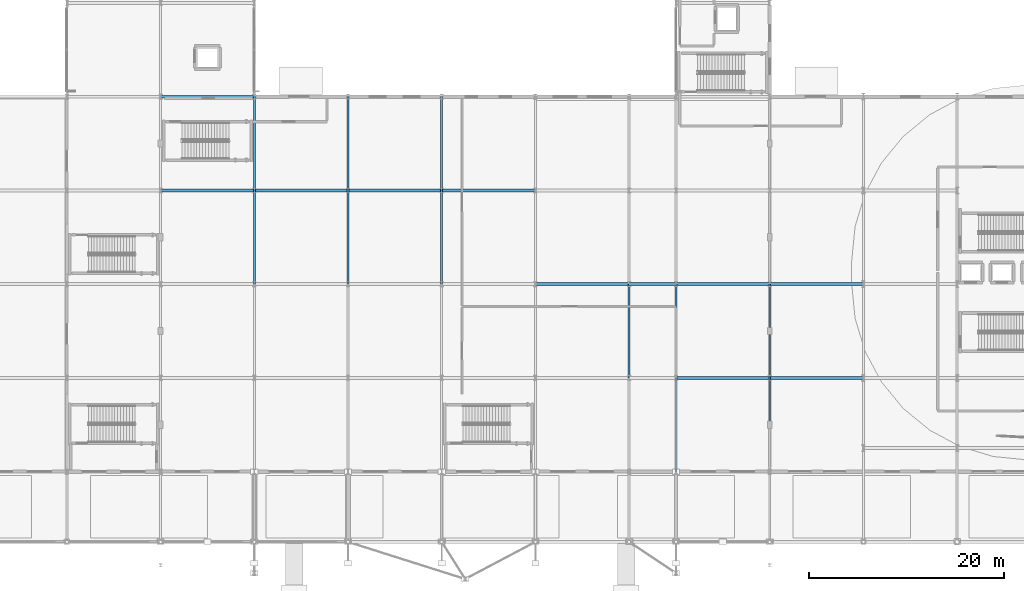
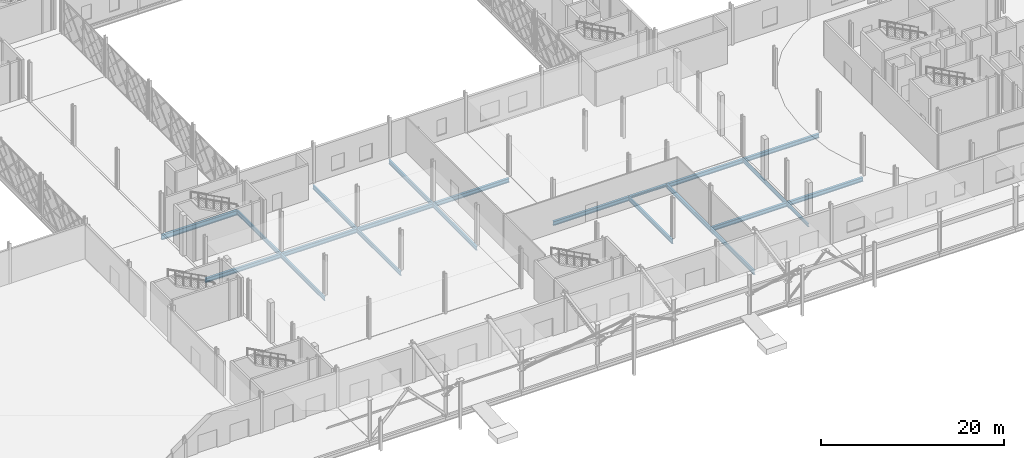
# One storey, part 31 of 84: 23 beams.
"""IFC4 building model written with IfcOpenShell, lengths in metres."""

from ifc_helpers import new_model, si_unit, direction, frame, origin, origin_2d, place, context, subcontext, project, spatial, i_section, extrude, material, material_profile, profile_set, type_object, element, save


model = new_model("IFC4")

# Units and contexts
model_context = context("Model", 3, precision=1e-05, world=origin(), true_north=direction((0.0, 1.0)))
body_context = subcontext(model_context, "Body", "Model", "MODEL_VIEW")
ifc_project = project(units=[si_unit("LENGTHUNIT", "METRE"), si_unit("AREAUNIT", "SQUARE_METRE"), si_unit("VOLUMEUNIT", "CUBIC_METRE"), si_unit("PLANEANGLEUNIT", "RADIAN"), si_unit("MASSUNIT", "GRAM", prefix="KILO")], contexts=[model_context])

# Site, building, storey
site_placement = place(None, origin())
site = spatial("IfcSite", under=ifc_project, at=site_placement, CompositionType="ELEMENT")
building_placement = place(site_placement, origin())
building = spatial("IfcBuilding", under=site, at=building_placement, Name="Zevrakil Square Congress Hotel", CompositionType="ELEMENT")
storey_placement = place(building_placement, origin())
storey = spatial("IfcBuildingStorey", under=building, at=storey_placement, Name="L01", CompositionType="ELEMENT", Elevation=0.0)

# Beams
ifc_material_1 = material(Name="Steel S355", Category="steel")
ifc_material_profile_1 = material_profile(ifc_material_1, i_section(OverallWidth=0.300048828125, OverallDepth=0.31005859375, WebThickness=0.009033203125, FlangeThickness=0.015380859375, FilletRadius=0.027099609375, at=origin_2d()), Name="HEA 320")
ifc_profile_set_1 = profile_set([ifc_material_profile_1], Name="Steel S355")
beam_type_1 = type_object("IfcBeamType", Name="BM-HEA320", PredefinedType="BEAM", material=ifc_profile_set_1)
beam_1_placement = place(storey_placement, frame((103.199951171875, 26.39990234375, -0.47509765625), z_axis=(1.0, 0.0, 0.0), x_axis=(0.0, 1.0, 0.0)))
element("IfcBeam", 1, at=beam_1_placement, inside=storey, type_object=beam_type_1, Name="L01 primary girder BX-0325", PredefinedType="BEAM", context=body_context, shape_type="SweptSolid", body=[
    extrude(i_section(OverallWidth=0.300048828125, OverallDepth=0.31005859375, WebThickness=0.009033203125, FlangeThickness=0.015380859375, FilletRadius=0.027099609375, at=origin_2d()), origin(), (0.0, 0.0, 1.0), 4.800048828125),
])
ifc_material_2 = material(Name="Steel S355", Category="steel")
ifc_material_profile_2 = material_profile(ifc_material_2, i_section(OverallWidth=0.300048828125, OverallDepth=0.5400390625, WebThickness=0.012451171875, FlangeThickness=0.02392578125, FilletRadius=0.027099609375, at=origin_2d()), Name="HEA 550")
ifc_profile_set_2 = profile_set([ifc_material_profile_2], Name="Steel S355")
beam_type_2 = type_object("IfcBeamType", Name="BM-HEA550", PredefinedType="BEAM", material=ifc_profile_set_2)
beam_2_placement = place(storey_placement, frame((108.0, 16.800048828125, -0.590087890625), z_axis=(1.0, 0.0, 0.0), x_axis=(0.0, 1.0, 0.0)))
element("IfcBeam", 2, at=beam_2_placement, inside=storey, type_object=beam_type_2, Name="L01 primary girder BX-0307", PredefinedType="BEAM", context=body_context, shape_type="SweptSolid", body=[
    extrude(i_section(OverallWidth=0.300048828125, OverallDepth=0.5400390625, WebThickness=0.012451171875, FlangeThickness=0.02392578125, FilletRadius=0.027099609375, at=origin_2d()), origin(), (0.0, 0.0, 1.0), 9.60009765625),
])
for number, where, z_axis, x_axis, name in (
    (3, (117.60009765625, 16.800048828125, -0.590087890625), (1.0, 0.0, 0.0), (0.0, 1.0, 0.0), "L01 primary girder BX-0308"),
    (4, (93.60009765625, 26.39990234375, -0.590087890625), (1.0, 0.0, 0.0), (0.0, 1.0, 0.0), "L01 primary girder BX-0324"),
):
    element("IfcBeam", number, at=place(storey_placement, frame(where, z_axis=z_axis, x_axis=x_axis)), inside=storey, type_object=beam_type_2, Name=name, PredefinedType="BEAM", context=body_context, shape_type="SweptSolid", body=[
        extrude(i_section(OverallWidth=0.300048828125, OverallDepth=0.5400390625, WebThickness=0.012451171875, FlangeThickness=0.02392578125, FilletRadius=0.027099609375, at=origin_2d()), origin(), (0.0, 0.0, 1.0), 9.599853515625),
    ])
beam_3_placement = place(storey_placement, frame((108.0, 26.39990234375, -0.590087890625), z_axis=(1.0, 0.0, 0.0), x_axis=(0.0, 1.0, 0.0)))
element("IfcBeam", 5, at=beam_3_placement, inside=storey, type_object=beam_type_2, Name="L01 primary girder BX-0326", PredefinedType="BEAM", context=body_context, shape_type="SweptSolid", body=[
    extrude(i_section(OverallWidth=0.300048828125, OverallDepth=0.5400390625, WebThickness=0.012451171875, FlangeThickness=0.02392578125, FilletRadius=0.027099609375, at=origin_2d()), origin(), (0.0, 0.0, 1.0), 9.60009765625),
])
beam_4_placement = place(storey_placement, frame((117.60009765625, 26.39990234375, -0.590087890625), z_axis=(1.0, 0.0, 0.0), x_axis=(0.0, 1.0, 0.0)))
element("IfcBeam", 6, at=beam_4_placement, inside=storey, type_object=beam_type_2, Name="L01 primary girder BX-0327", PredefinedType="BEAM", context=body_context, shape_type="SweptSolid", body=[
    extrude(i_section(OverallWidth=0.300048828125, OverallDepth=0.5400390625, WebThickness=0.012451171875, FlangeThickness=0.02392578125, FilletRadius=0.027099609375, at=origin_2d()), origin(), (0.0, 0.0, 1.0), 9.599853515625),
])
beam_5_placement = place(storey_placement, frame((55.199951171875, 36.0, -0.590087890625), z_axis=(1.0, 0.0, 0.0), x_axis=(0.0, 1.0, 0.0)))
element("IfcBeam", 7, at=beam_5_placement, inside=storey, type_object=beam_type_2, Name="L01 primary girder BX-0337", PredefinedType="BEAM", context=body_context, shape_type="SweptSolid", body=[
    extrude(i_section(OverallWidth=0.300048828125, OverallDepth=0.5400390625, WebThickness=0.012451171875, FlangeThickness=0.02392578125, FilletRadius=0.027099609375, at=origin_2d()), origin(), (0.0, 0.0, 1.0), 9.60009765625),
])
beam_6_placement = place(storey_placement, frame((64.800048828125, 36.0, -0.590087890625), z_axis=(1.0, 0.0, 0.0), x_axis=(0.0, 1.0, 0.0)))
element("IfcBeam", 8, at=beam_6_placement, inside=storey, type_object=beam_type_2, Name="L01 primary girder BX-0338", PredefinedType="BEAM", context=body_context, shape_type="SweptSolid", body=[
    extrude(i_section(OverallWidth=0.300048828125, OverallDepth=0.5400390625, WebThickness=0.012451171875, FlangeThickness=0.02392578125, FilletRadius=0.027099609375, at=origin_2d()), origin(), (0.0, 0.0, 1.0), 9.599853515625),
])
for number, where, z_axis, x_axis, name in (
    (9, (74.39990234375, 36.0, -0.590087890625), (1.0, 0.0, 0.0), (0.0, 1.0, 0.0), "L01 primary girder BX-0339"),
    (10, (84.0, 36.0, -0.590087890625), (1.0, 0.0, 0.0), (0.0, 1.0, 0.0), "L01 primary girder BX-0340"),
):
    element("IfcBeam", number, at=place(storey_placement, frame(where, z_axis=z_axis, x_axis=x_axis)), inside=storey, type_object=beam_type_2, Name=name, PredefinedType="BEAM", context=body_context, shape_type="SweptSolid", body=[
        extrude(i_section(OverallWidth=0.300048828125, OverallDepth=0.5400390625, WebThickness=0.012451171875, FlangeThickness=0.02392578125, FilletRadius=0.027099609375, at=origin_2d()), origin(), (0.0, 0.0, 1.0), 9.60009765625),
    ])
ifc_material_3 = material(Name="Steel S355", Category="steel")
ifc_material_profile_3 = material_profile(ifc_material_3, i_section(OverallWidth=0.300048828125, OverallDepth=0.639892578125, WebThickness=0.013427734375, FlangeThickness=0.02587890625, FilletRadius=0.027099609375, at=origin_2d()), Name="HEA 650")
ifc_profile_set_3 = profile_set([ifc_material_profile_3], Name="Steel S355")
beam_type_3 = type_object("IfcBeamType", Name="BM-HEA650", PredefinedType="BEAM", material=ifc_profile_set_3)
beam_7_placement = place(storey_placement, frame((55.199951171875, 45.60009765625, -0.639892578125), z_axis=(1.0, 0.0, 0.0), x_axis=(0.0, 1.0, 0.0)))
element("IfcBeam", 11, at=beam_7_placement, inside=storey, type_object=beam_type_3, Name="L01 primary girder BX-0354", PredefinedType="BEAM", context=body_context, shape_type="SweptSolid", body=[
    extrude(i_section(OverallWidth=0.300048828125, OverallDepth=0.639892578125, WebThickness=0.013427734375, FlangeThickness=0.02587890625, FilletRadius=0.027099609375, at=origin_2d()), origin(), (0.0, 0.0, 1.0), 9.60009765625),
])
ifc_material_4 = material(Name="Steel S355", Category="steel")
ifc_material_profile_4 = material_profile(ifc_material_4, i_section(OverallWidth=0.18994140625, OverallDepth=0.449951171875, WebThickness=0.009521484375, FlangeThickness=0.0146484375, FilletRadius=0.02099609375, at=origin_2d()), Name="IPE 450")
ifc_profile_set_4 = profile_set([ifc_material_profile_4], Name="Steel S355")
beam_type_4 = type_object("IfcBeamType", Name="BM-IPE450", PredefinedType="BEAM", material=ifc_profile_set_4)
for number, where, z_axis, x_axis, name in (
    (12, (117.60009765625, 12.0, -0.544921875), (0.0, 1.0, 0.0), (-1.0, 0.0, 0.0), "L01 primary girder BY-0599"),
    (13, (117.60009765625, 16.800048828125, -0.544921875), (0.0, 1.0, 0.0), (-1.0, 0.0, 0.0), "L01 primary girder BY-0600"),
):
    element("IfcBeam", number, at=place(storey_placement, frame(where, z_axis=z_axis, x_axis=x_axis)), inside=storey, type_object=beam_type_4, Name=name, PredefinedType="BEAM", context=body_context, shape_type="SweptSolid", body=[
        extrude(i_section(OverallWidth=0.18994140625, OverallDepth=0.449951171875, WebThickness=0.009521484375, FlangeThickness=0.0146484375, FilletRadius=0.02099609375, at=origin_2d()), origin(), (0.0, 0.0, 1.0), 4.800048828125),
    ])
beam_8_placement = place(storey_placement, frame((117.60009765625, 21.60009765625, -0.544921875), z_axis=(0.0, 1.0, 0.0), x_axis=(-1.0, 0.0, 0.0)))
element("IfcBeam", 14, at=beam_8_placement, inside=storey, type_object=beam_type_4, Name="L01 primary girder BY-0601", PredefinedType="BEAM", context=body_context, shape_type="SweptSolid", body=[
    extrude(i_section(OverallWidth=0.18994140625, OverallDepth=0.449951171875, WebThickness=0.009521484375, FlangeThickness=0.0146484375, FilletRadius=0.02099609375, at=origin_2d()), origin(), (0.0, 0.0, 1.0), 4.7998046875),
])
ifc_material_5 = material(Name="Steel S355", Category="steel")
ifc_material_profile_5 = material_profile(ifc_material_5, i_section(OverallWidth=0.2099609375, OverallDepth=0.550048828125, WebThickness=0.010986328125, FlangeThickness=0.01708984375, FilletRadius=0.02392578125, at=origin_2d()), Name="IPE 550")
ifc_profile_set_5 = profile_set([ifc_material_profile_5], Name="Steel S355")
beam_type_5 = type_object("IfcBeamType", Name="BM-IPE550", PredefinedType="BEAM", material=ifc_profile_set_5)
for number, where, z_axis, x_axis, name in (
    (15, (64.800048828125, 26.39990234375, -0.594970703125), (0.0, 1.0, 0.0), (-1.0, 0.0, 0.0), "L01 primary girder BY-0538"),
    (16, (64.800048828125, 36.0, -0.594970703125), (0.0, 1.0, 0.0), (-1.0, 0.0, 0.0), "L01 primary girder BY-0539"),
    (17, (74.39990234375, 26.39990234375, -0.594970703125), (0.0, 1.0, 0.0), (-1.0, 0.0, 0.0), "L01 primary girder BY-0551"),
    (18, (74.39990234375, 36.0, -0.594970703125), (0.0, 1.0, 0.0), (-1.0, 0.0, 0.0), "L01 primary girder BY-0552"),
    (19, (84.0, 26.39990234375, -0.594970703125), (0.0, 1.0, 0.0), (-1.0, 0.0, 0.0), "L01 primary girder BY-0560"),
    (20, (84.0, 36.0, -0.594970703125), (0.0, 1.0, 0.0), (-1.0, 0.0, 0.0), "L01 primary girder BY-0561"),
):
    element("IfcBeam", number, at=place(storey_placement, frame(where, z_axis=z_axis, x_axis=x_axis)), inside=storey, type_object=beam_type_5, Name=name, PredefinedType="BEAM", context=body_context, shape_type="SweptSolid", body=[
        extrude(i_section(OverallWidth=0.2099609375, OverallDepth=0.550048828125, WebThickness=0.010986328125, FlangeThickness=0.01708984375, FilletRadius=0.02392578125, at=origin_2d()), origin(), (0.0, 0.0, 1.0), 9.60009765625),
    ])
beam_9_placement = place(storey_placement, frame((103.199951171875, 16.800048828125, -0.594970703125), z_axis=(0.0, 1.0, 0.0), x_axis=(-1.0, 0.0, 0.0)))
element("IfcBeam", 21, at=beam_9_placement, inside=storey, type_object=beam_type_5, Name="L01 primary girder BY-0577", PredefinedType="BEAM", context=body_context, shape_type="SweptSolid", body=[
    extrude(i_section(OverallWidth=0.2099609375, OverallDepth=0.550048828125, WebThickness=0.010986328125, FlangeThickness=0.01708984375, FilletRadius=0.02392578125, at=origin_2d()), origin(), (0.0, 0.0, 1.0), 9.599853515625),
])
beam_10_placement = place(storey_placement, frame((108.0, 7.199951171875, -0.594970703125), z_axis=(0.0, 1.0, 0.0), x_axis=(-1.0, 0.0, 0.0)))
element("IfcBeam", 22, at=beam_10_placement, inside=storey, type_object=beam_type_5, Name="L01 primary girder BY-0585", PredefinedType="BEAM", context=body_context, shape_type="SweptSolid", body=[
    extrude(i_section(OverallWidth=0.2099609375, OverallDepth=0.550048828125, WebThickness=0.010986328125, FlangeThickness=0.01708984375, FilletRadius=0.02392578125, at=origin_2d()), origin(), (0.0, 0.0, 1.0), 9.60009765625),
])
beam_11_placement = place(storey_placement, frame((108.0, 16.800048828125, -0.594970703125), z_axis=(0.0, 1.0, 0.0), x_axis=(-1.0, 0.0, 0.0)))
element("IfcBeam", 23, at=beam_11_placement, inside=storey, type_object=beam_type_5, Name="L01 primary girder BY-0586", PredefinedType="BEAM", context=body_context, shape_type="SweptSolid", body=[
    extrude(i_section(OverallWidth=0.2099609375, OverallDepth=0.550048828125, WebThickness=0.010986328125, FlangeThickness=0.01708984375, FilletRadius=0.02392578125, at=origin_2d()), origin(), (0.0, 0.0, 1.0), 9.599853515625),
])

save(model, "model.ifc")
